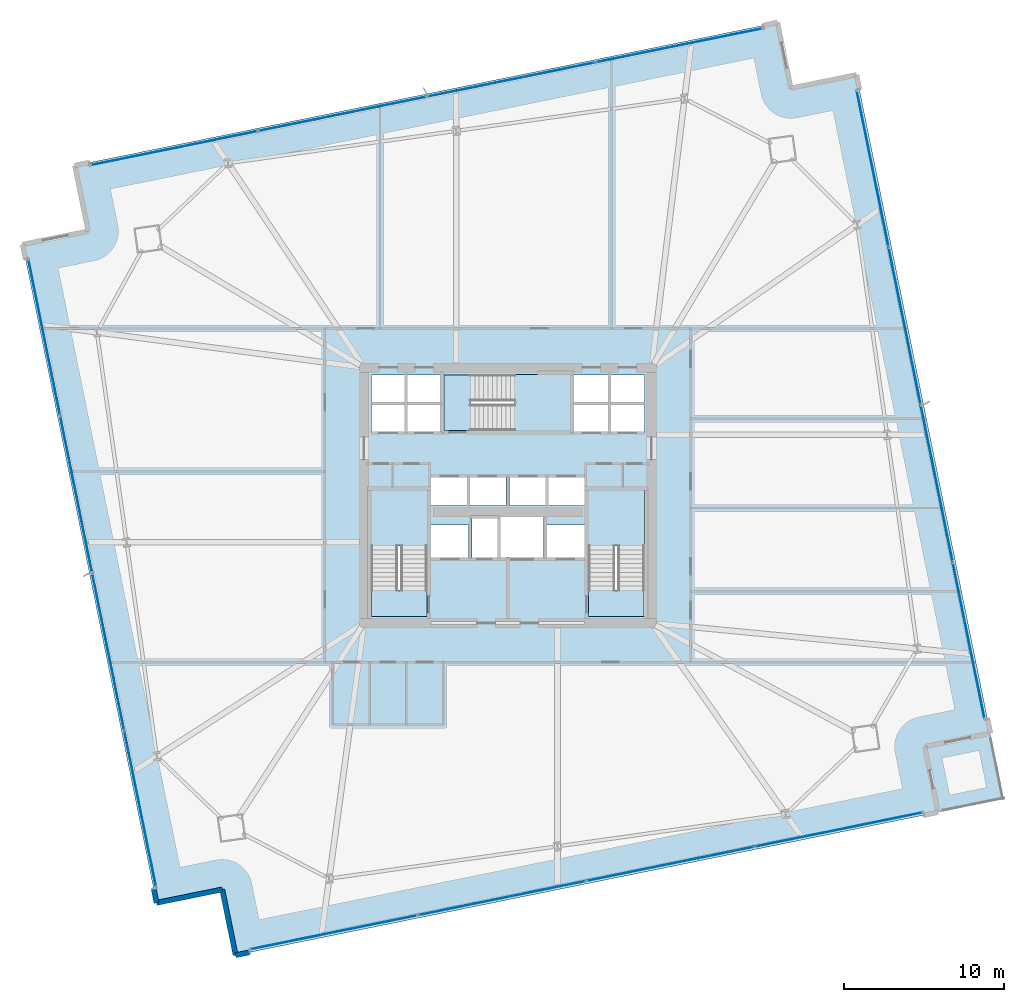
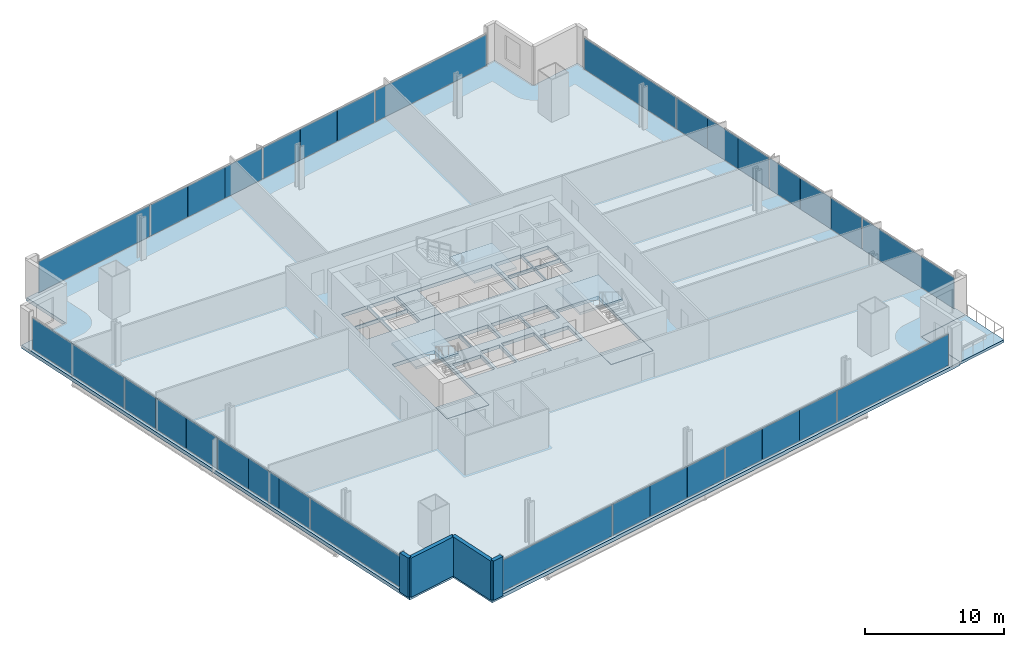
# One storey, part 24 of 33: 32 plates, 8 slabs, 4 walls, 7 elements without a shape of their own.
"""IFC4 building model written with IfcOpenShell, lengths in metres."""

from ifc_helpers import new_model, si_unit, direction, frame, frame_2d, origin, origin_2d, place, context, subcontext, project, spatial, polyline, rectangle, outline, extrude, source, transform, mapped, material, layer, layer_set, type_object, element, aggregate, save


model = new_model("IFC4")

# Units and contexts
model_context = context("Model", 3, precision=1e-05, world=origin(), true_north=direction((0.0, 1.0)))
body_context = subcontext(model_context, "Body", "Model", "MODEL_VIEW")
ifc_project = project(units=[si_unit("LENGTHUNIT", "METRE"), si_unit("AREAUNIT", "SQUARE_METRE"), si_unit("VOLUMEUNIT", "CUBIC_METRE"), si_unit("PLANEANGLEUNIT", "RADIAN"), si_unit("MASSUNIT", "GRAM", prefix="KILO")], contexts=[model_context])

# Site, building, storey
site_placement = place(None, origin())
site = spatial("IfcSite", under=ifc_project, at=site_placement, CompositionType="ELEMENT")
building_placement = place(site_placement, origin())
building = spatial("IfcBuilding", under=site, at=building_placement, Name="Haldenkirk Collegiate Tower", CompositionType="ELEMENT")
storey_placement = place(building_placement, frame((0.0, 0.0, 66.449951171875)))
storey = spatial("IfcBuildingStorey", under=building, at=storey_placement, Name="L15", CompositionType="ELEMENT", Elevation=66.449951171875)

# Slab
ifc_material_1 = material(Name="Concrete f'c 40 MPa", Category="concrete")
ifc_layer_1 = layer(ifc_material_1, 0.31005859375)
ifc_layer_set_1 = layer_set([ifc_layer_1], Name="Concrete f'c 40 MPa")
slab_type_1 = type_object("IfcSlabType", Name="SLB-FLR-310", PredefinedType="FLOOR", material=ifc_layer_set_1)
slab_1_placement = place(storey_placement, frame((0.0, 0.0, -0.31005859375)))
element("IfcSlab", 1, at=slab_1_placement, inside=storey, type_object=slab_type_1, Name="L15 composite structural floor slab", PredefinedType="FLOOR", context=body_context, shape_type="SweptSolid", body=[
    extrude(outline(polyline([(18.949951171875, -2.802490234375), (62.948486328125, 6.149169921875), (62.111328125, 10.264892578125), (66.22705078125, 11.102294921875), (57.838623046875, 52.33251953125), (53.722900390625, 51.4951171875), (52.885498046875, 55.61083984375), (8.886962890625, 46.6591796875), (9.72412109375, 42.543701171875), (5.608642578125, 41.706298828125), (13.9970703125, 0.475830078125), (18.11279296875, 1.313232421875), (18.949951171875, -2.802490234375)]), holes=[polyline([(27.449951171875, 18.39990234375), (30.949951171875, 18.39990234375), (30.949951171875, 26.300048828125), (27.449951171875, 26.300048828125), (27.449951171875, 18.39990234375)]), polyline([(41.050048828125, 18.39990234375), (44.550048828125, 18.39990234375), (44.550048828125, 26.300048828125), (41.050048828125, 26.300048828125), (41.050048828125, 18.39990234375)]), polyline([(32.0, 30.050048828125), (39.89990234375, 30.050048828125), (39.89990234375, 33.550048828125), (32.0, 33.550048828125), (32.0, 30.050048828125)]), polyline([(33.75, 22.10009765625), (35.35009765625, 22.10009765625), (35.35009765625, 24.550048828125), (33.75, 24.550048828125), (33.75, 22.10009765625)]), polyline([(27.449951171875, 29.949951171875), (29.580078125, 29.949951171875), (29.580078125, 31.699951171875), (27.449951171875, 31.699951171875), (27.449951171875, 29.949951171875)]), polyline([(29.679931640625, 29.949951171875), (31.85009765625, 29.949951171875), (31.85009765625, 31.699951171875), (29.679931640625, 31.699951171875), (29.679931640625, 29.949951171875)]), polyline([(27.449951171875, 31.800048828125), (29.580078125, 31.800048828125), (29.580078125, 33.550048828125), (27.449951171875, 33.550048828125), (27.449951171875, 31.800048828125)]), polyline([(29.679931640625, 31.800048828125), (31.85009765625, 31.800048828125), (31.85009765625, 33.550048828125), (29.679931640625, 33.550048828125), (29.679931640625, 31.800048828125)]), polyline([(40.14990234375, 29.949951171875), (42.320068359375, 29.949951171875), (42.320068359375, 31.699951171875), (40.14990234375, 31.699951171875), (40.14990234375, 29.949951171875)]), polyline([(42.419921875, 29.949951171875), (44.550048828125, 29.949951171875), (44.550048828125, 31.699951171875), (42.419921875, 31.699951171875), (42.419921875, 29.949951171875)]), polyline([(40.14990234375, 31.800048828125), (42.320068359375, 31.800048828125), (42.320068359375, 33.550048828125), (40.14990234375, 33.550048828125), (40.14990234375, 31.800048828125)]), polyline([(42.419921875, 31.800048828125), (44.550048828125, 31.800048828125), (44.550048828125, 33.550048828125), (42.419921875, 33.550048828125), (42.419921875, 31.800048828125)]), polyline([(31.199951171875, 25.35009765625), (33.47998046875, 25.35009765625), (33.47998046875, 27.14990234375), (31.199951171875, 27.14990234375), (31.199951171875, 25.35009765625)]), polyline([(33.60009765625, 25.35009765625), (35.8798828125, 25.35009765625), (35.8798828125, 27.14990234375), (33.60009765625, 27.14990234375), (33.60009765625, 25.35009765625)]), polyline([(36.1201171875, 25.35009765625), (38.39990234375, 25.35009765625), (38.39990234375, 27.14990234375), (36.1201171875, 27.14990234375), (36.1201171875, 25.35009765625)]), polyline([(38.52001953125, 25.35009765625), (40.800048828125, 25.35009765625), (40.800048828125, 27.14990234375), (38.52001953125, 27.14990234375), (38.52001953125, 25.35009765625)]), polyline([(31.199951171875, 22.10009765625), (33.550048828125, 22.10009765625), (33.550048828125, 24.14990234375), (31.199951171875, 24.14990234375), (31.199951171875, 22.10009765625)]), polyline([(38.449951171875, 22.10009765625), (40.800048828125, 22.10009765625), (40.800048828125, 24.14990234375), (38.449951171875, 24.14990234375), (38.449951171875, 22.10009765625)]), polyline([(35.550048828125, 22.10009765625), (38.25, 22.10009765625), (38.25, 24.64990234375), (35.550048828125, 24.64990234375), (35.550048828125, 22.10009765625)])]), origin(), (0.0, 0.0, 1.0), 0.31005859375),
])

# Stair, slab
stair_type = type_object("IfcStairType", Name="STR-DOGLEG-1650", PredefinedType="HALF_TURN_STAIR", material=ifc_material_1)
stair_1_placement = place(storey_placement, origin())
stair_1 = element("IfcStair", 2, at=stair_1_placement, inside=storey, type_object=stair_type, Name="L15 Core Exit Stair ST-1", PredefinedType="HALF_TURN_STAIR")
ifc_layer_2 = layer(ifc_material_1, 0.199951171875)
ifc_layer_set_2 = layer_set([ifc_layer_2], Name="Concrete f'c 40 MPa")
slab_type_2 = type_object("IfcSlabType", Name="SLB-LANDING-200", PredefinedType="LANDING", material=ifc_layer_set_2)
slab_2_placement = place(storey_placement, frame((0.0, 0.0, 1.675048828125)))
slab_2 = element("IfcSlab", 3, at=slab_2_placement, type_object=slab_type_2, Name="ST-1 landing 1", PredefinedType="LANDING", context=body_context, shape_type="SweptSolid", body=[
    extrude(outline(polyline([(30.97509765625, 22.824951171875), (27.425048828125, 22.824951171875), (27.425048828125, 26.324951171875), (30.97509765625, 26.324951171875), (30.97509765625, 22.824951171875)])), origin(), (0.0, 0.0, 1.0), 0.199951171875),
])
aggregate(stair_1, [slab_2])

stair_2_placement = place(storey_placement, origin())
stair_2 = element("IfcStair", 4, at=stair_2_placement, inside=storey, type_object=stair_type, Name="L15 Core Exit Stair ST-2", PredefinedType="HALF_TURN_STAIR")
slab_3_placement = place(storey_placement, frame((0.0, 0.0, 1.675048828125)))
slab_3 = element("IfcSlab", 5, at=slab_3_placement, type_object=slab_type_2, Name="ST-2 landing 1", PredefinedType="LANDING", context=body_context, shape_type="SweptSolid", body=[
    extrude(outline(polyline([(44.574951171875, 22.824951171875), (41.02490234375, 22.824951171875), (41.02490234375, 26.324951171875), (44.574951171875, 26.324951171875), (44.574951171875, 22.824951171875)])), origin(), (0.0, 0.0, 1.0), 0.199951171875),
])
aggregate(stair_2, [slab_3])

stair_3_placement = place(storey_placement, origin())
stair_3 = element("IfcStair", 6, at=stair_3_placement, inside=storey, type_object=stair_type, Name="L15 Core Exit Stair ST-3", PredefinedType="HALF_TURN_STAIR")
slab_4_placement = place(storey_placement, frame((0.0, 0.0, 1.675048828125)))
slab_4 = element("IfcSlab", 7, at=slab_4_placement, type_object=slab_type_2, Name="ST-3 landing 1", PredefinedType="LANDING", context=body_context, shape_type="SweptSolid", body=[
    extrude(outline(polyline([(36.425048828125, 30.02490234375), (36.425048828125, 33.574951171875), (39.925048828125, 33.574951171875), (39.925048828125, 30.02490234375), (36.425048828125, 30.02490234375)])), origin(), (0.0, 0.0, 1.0), 0.199951171875),
])
aggregate(stair_3, [slab_4])

# Slabs
ifc_layer_3 = layer(ifc_material_1, 0.25)
ifc_layer_set_3 = layer_set([ifc_layer_3], Name="Concrete f'c 40 MPa")
slab_type_3 = type_object("IfcSlabType", Name="SLB-STAIRLAND-250", PredefinedType="LANDING", material=ifc_layer_set_3)
slab_5_placement = place(storey_placement, frame((0.0, 0.0, -0.25)))
element("IfcSlab", 8, at=slab_5_placement, inside=storey, type_object=slab_type_3, Name="L15 stair ST1 structural floor landing slab", PredefinedType="LANDING", context=body_context, shape_type="SweptSolid", body=[
    extrude(outline(polyline([(27.4599609375, 18.409912109375), (30.93994140625, 18.409912109375), (30.93994140625, 20.080078125), (27.4599609375, 20.080078125), (27.4599609375, 18.409912109375)])), origin(), (0.0, 0.0, 1.0), 0.25),
])
slab_6_placement = place(storey_placement, frame((0.0, 0.0, -0.25)))
element("IfcSlab", 9, at=slab_6_placement, inside=storey, type_object=slab_type_3, Name="L15 stair ST2 structural floor landing slab", PredefinedType="LANDING", context=body_context, shape_type="SweptSolid", body=[
    extrude(outline(polyline([(41.06005859375, 18.409912109375), (44.5400390625, 18.409912109375), (44.5400390625, 20.080078125), (41.06005859375, 20.080078125), (41.06005859375, 18.409912109375)])), origin(), (0.0, 0.0, 1.0), 0.25),
])
slab_7_placement = place(storey_placement, frame((0.0, 0.0, -0.25)))
element("IfcSlab", 10, at=slab_7_placement, inside=storey, type_object=slab_type_3, Name="L15 stair ST3 structural floor landing slab", PredefinedType="LANDING", context=body_context, shape_type="SweptSolid", body=[
    extrude(outline(polyline([(32.010009765625, 30.06005859375), (33.679931640625, 30.06005859375), (33.679931640625, 33.5400390625), (32.010009765625, 33.5400390625), (32.010009765625, 30.06005859375)])), origin(), (0.0, 0.0, 1.0), 0.25),
])
ifc_layer_4 = layer(ifc_material_1, 0.22998046875)
ifc_layer_set_4 = layer_set([ifc_layer_4], Name="Concrete f'c 40 MPa")
slab_type_4 = type_object("IfcSlabType", Name="SLB-TERR-SPIRAL-230", PredefinedType="FLOOR", material=ifc_layer_set_4)
slab_8_placement = place(storey_placement, frame((0.0, 0.0, -0.22998046875)))
element("IfcSlab", 11, at=slab_8_placement, inside=storey, type_object=slab_type_4, Name="L15 spiralling corner terrace slab", PredefinedType="FLOOR", context=body_context, shape_type="SweptSolid", body=[
    extrude(outline(polyline([(62.948486328125, 6.149169921875), (67.064208984375, 6.986572265625), (66.22705078125, 11.102294921875), (62.111328125, 10.264892578125), (62.948486328125, 6.149169921875)])), origin(), (0.0, 0.0, 1.0), 0.22998046875),
])

# Curtain wall, plates
ifc_material_2 = material(Name="Anodised architectural bronze aluminium", Category="aluminium")
curtain_wall_type_1 = type_object("IfcCurtainWallType", Name="CW-SYS2-CONCAVE", PredefinedType="USERDEFINED", material=ifc_material_2)
curtain_wall_1_placement = place(storey_placement, origin())
curtain_wall_1 = element("IfcCurtainWall", 12, at=curtain_wall_1_placement, inside=storey, type_object=curtain_wall_type_1, Name="L15 South concave recessed bronze-anodised curtain wall", ObjectType="UNITISED CURTAIN WALL", PredefinedType="USERDEFINED")
ifc_material_3 = material(Name="Low-E argon triple insulating glass", Category="glass")
ifc_layer_5 = layer(ifc_material_3, 0.0419921875)
ifc_layer_set_5 = layer_set([ifc_layer_5], Name="Low-E argon triple insulating glass")
plate_type_1 = type_object("IfcPlateType", Name="CW-PNL-02", PredefinedType="CURTAIN_PANEL", material=ifc_layer_set_5)
shared_shape_1 = source(origin(), body_context, "Body", "SweptSolid", [
    extrude(rectangle(XDim=10.66259765625, YDim=0.0419921875, at=origin_2d()), origin(), (0.0, 0.0, 1.0), 2.740966796875),
])
plate_1_placement = place(storey_placement, frame((56.733154296875, 5.068359375, 0.0751953125), z_axis=(0.0, 0.0, 1.0), x_axis=(-0.979924555832, -0.199368665738, 0.0)))
plate_1 = element("IfcPlate", 13, at=plate_1_placement, type_object=plate_type_1, Name="CW-02 panel 1.1", PredefinedType="CURTAIN_PANEL", context=body_context, shape_type="MappedRepresentation", body=[
    mapped(shared_shape_1, transform((0.0, 0.0, 0.0), x_axis=(1.0, 0.0, 0.0), y_axis=(0.0, 1.0, 0.0), z_axis=(0.0, 0.0, 1.0), scale=1.0)),
])
plate_2_placement = place(storey_placement, frame((25.09375, -1.36865234375, 0.0751953125), z_axis=(0.0, 0.0, 1.0), x_axis=(-0.979924555832, -0.199368665738, 0.0)))
plate_2 = element("IfcPlate", 14, at=plate_2_placement, type_object=plate_type_1, Name="CW-02 panel 4.1", PredefinedType="CURTAIN_PANEL", context=body_context, shape_type="MappedRepresentation", body=[
    mapped(shared_shape_1, transform((0.0, 0.0, 0.0), x_axis=(1.0, 0.0, 0.0), y_axis=(0.0, 1.0, 0.0), z_axis=(0.0, 0.0, 1.0), scale=1.0)),
])
ifc_material_4 = material(Name="Bronze-anodised insulated aluminium spandrel panel", Category="aluminium")
ifc_layer_6 = layer(ifc_material_4, 0.0419921875)
ifc_layer_set_6 = layer_set([ifc_layer_6], Name="Bronze-anodised insulated aluminium spandrel panel")
plate_type_2 = type_object("IfcPlateType", Name="CW-SPD-02", PredefinedType="CURTAIN_PANEL", material=ifc_layer_set_6)
shared_shape_2 = source(origin(), body_context, "Body", "SweptSolid", [
    extrude(rectangle(XDim=3.55419921875, YDim=0.0419921875, at=origin_2d()), origin(), (0.0, 0.0, 1.0), 2.740966796875),
])
plate_3_placement = place(storey_placement, frame((49.69384765625, 3.63623046875, 0.0751953125), z_axis=(0.0, 0.0, 1.0), x_axis=(-0.979924555832, -0.199368665738, 0.0)))
plate_3 = element("IfcPlate", 15, at=plate_3_placement, type_object=plate_type_2, Name="CW-02 spandrel panel 2.1a", PredefinedType="CURTAIN_PANEL", context=body_context, shape_type="MappedRepresentation", body=[
    mapped(shared_shape_2, transform((0.0, 0.0, 0.0), x_axis=(1.0, 0.0, 0.0), y_axis=(0.0, 1.0, 0.0), z_axis=(0.0, 0.0, 1.0), scale=1.0)),
])
plate_4_placement = place(storey_placement, frame((42.691650390625, 2.211669921875, 0.0751953125), z_axis=(0.0, 0.0, 1.0), x_axis=(-0.979924555832, -0.199368665738, 0.0)))
plate_4 = element("IfcPlate", 16, at=plate_4_placement, type_object=plate_type_2, Name="CW-02 spandrel panel 2.1c", PredefinedType="CURTAIN_PANEL", context=body_context, shape_type="MappedRepresentation", body=[
    mapped(shared_shape_2, transform((0.0, 0.0, 0.0), x_axis=(1.0, 0.0, 0.0), y_axis=(0.0, 1.0, 0.0), z_axis=(0.0, 0.0, 1.0), scale=1.0)),
])
plate_5_placement = place(storey_placement, frame((39.13525390625, 1.488037109375, 0.0751953125), z_axis=(0.0, 0.0, 1.0), x_axis=(-0.979924555832, -0.199368665738, 0.0)))
plate_5 = element("IfcPlate", 17, at=plate_5_placement, type_object=plate_type_2, Name="CW-02 spandrel panel 3.1a", PredefinedType="CURTAIN_PANEL", context=body_context, shape_type="MappedRepresentation", body=[
    mapped(shared_shape_2, transform((0.0, 0.0, 0.0), x_axis=(1.0, 0.0, 0.0), y_axis=(0.0, 1.0, 0.0), z_axis=(0.0, 0.0, 1.0), scale=1.0)),
])
plate_6_placement = place(storey_placement, frame((32.1328125, 0.0634765625, 0.0751953125), z_axis=(0.0, 0.0, 1.0), x_axis=(-0.979924555832, -0.199368665738, 0.0)))
plate_6 = element("IfcPlate", 18, at=plate_6_placement, type_object=plate_type_1, Name="CW-02 panel 3.1c", PredefinedType="CURTAIN_PANEL", context=body_context, shape_type="MappedRepresentation", body=[
    mapped(shared_shape_2, transform((0.0, 0.0, 0.0), x_axis=(1.0, 0.0, 0.0), y_axis=(0.0, 1.0, 0.0), z_axis=(0.0, 0.0, 1.0), scale=1.0)),
])
shared_shape_3 = source(origin(), body_context, "Body", "SweptSolid", [
    extrude(rectangle(XDim=3.541748046875, YDim=0.0419921875, at=origin_2d()), origin(), (0.0, 0.0, 1.0), 2.740966796875),
])
plate_7_placement = place(storey_placement, frame((46.19287109375, 2.923828125, 0.0751953125), z_axis=(0.0, 0.0, 1.0), x_axis=(-0.979924555832, -0.199368665738, 0.0)))
plate_7 = element("IfcPlate", 19, at=plate_7_placement, type_object=plate_type_2, Name="CW-02 spandrel panel 2.1b", PredefinedType="CURTAIN_PANEL", context=body_context, shape_type="MappedRepresentation", body=[
    mapped(shared_shape_3, transform((0.0, 0.0, 0.0), x_axis=(1.0, 0.0, 0.0), y_axis=(0.0, 1.0, 0.0), z_axis=(0.0, 0.0, 1.0), scale=1.0)),
])
plate_8_placement = place(storey_placement, frame((35.634033203125, 0.775634765625, 0.0751953125), z_axis=(0.0, 0.0, 1.0), x_axis=(-0.979924555832, -0.199368665738, 0.0)))
plate_8 = element("IfcPlate", 20, at=plate_8_placement, type_object=plate_type_1, Name="CW-02 panel 3.1b", PredefinedType="CURTAIN_PANEL", context=body_context, shape_type="MappedRepresentation", body=[
    mapped(shared_shape_3, transform((0.0, 0.0, 0.0), x_axis=(1.0, 0.0, 0.0), y_axis=(0.0, 1.0, 0.0), z_axis=(0.0, 0.0, 1.0), scale=1.0)),
])
aggregate(curtain_wall_1, [plate_1, plate_3, plate_7, plate_4, plate_5, plate_8, plate_6, plate_2])

curtain_wall_type_2 = type_object("IfcCurtainWallType", Name="CW-SYS1-CONVEX-LOW", PredefinedType="USERDEFINED", material=ifc_material_2)
curtain_wall_2_placement = place(storey_placement, origin())
curtain_wall_2 = element("IfcCurtainWall", 21, at=curtain_wall_2_placement, inside=storey, type_object=curtain_wall_type_2, Name="L15 Lower tower convex bronze-framed unitised curtain wall", ObjectType="UNITISED CURTAIN WALL", PredefinedType="USERDEFINED")
ifc_layer_7 = layer(ifc_material_3, 0.0439453125)
ifc_layer_set_7 = layer_set([ifc_layer_7], Name="Low-E argon triple insulating glass")
plate_type_3 = type_object("IfcPlateType", Name="CW-PNL-1A", PredefinedType="CURTAIN_PANEL", material=ifc_layer_set_7)
shared_shape_4 = source(origin(), body_context, "Body", "SweptSolid", [
    extrude(rectangle(XDim=9.94873046875, YDim=0.0439453125, at=origin_2d()), origin(), (0.0, 0.0, 1.0), 2.73095703125),
])
plate_9_placement = place(storey_placement, frame((58.849365234375, 46.461669921875, 0.080078125), z_axis=(0.0, 0.0, 1.0), x_axis=(0.199369122351, -0.979924462932, 0.0)))
plate_9 = element("IfcPlate", 22, at=plate_9_placement, type_object=plate_type_3, Name="CW-1A panel 1.1", PredefinedType="CURTAIN_PANEL", context=body_context, shape_type="MappedRepresentation", body=[
    mapped(shared_shape_4, transform((0.0, 0.0, 0.0), x_axis=(1.0, 0.0, 0.0), y_axis=(0.0, 1.0, 0.0), z_axis=(0.0, 0.0, 1.0), scale=1.0)),
])
plate_10_placement = place(storey_placement, frame((64.863525390625, 16.901123046875, 0.080078125), z_axis=(0.0, 0.0, 1.0), x_axis=(0.199369122351, -0.979924462932, 0.0)))
plate_10 = element("IfcPlate", 23, at=plate_10_placement, type_object=plate_type_3, Name="CW-1A panel 4.1", PredefinedType="CURTAIN_PANEL", context=body_context, shape_type="MappedRepresentation", body=[
    mapped(shared_shape_4, transform((0.0, 0.0, 0.0), x_axis=(1.0, 0.0, 0.0), y_axis=(0.0, 1.0, 0.0), z_axis=(0.0, 0.0, 1.0), scale=1.0)),
])

curtain_wall_3_placement = place(storey_placement, origin())
curtain_wall_3 = element("IfcCurtainWall", 24, at=curtain_wall_3_placement, inside=storey, type_object=curtain_wall_type_2, Name="L15 Lower tower convex bronze-framed unitised curtain wall", ObjectType="UNITISED CURTAIN WALL", PredefinedType="USERDEFINED")
plate_11_placement = place(storey_placement, frame((12.986328125, 6.3466796875, 0.080078125), z_axis=(0.0, 0.0, 1.0), x_axis=(-0.199369122351, 0.979924462932, 0.0)))
plate_11 = element("IfcPlate", 25, at=plate_11_placement, type_object=plate_type_3, Name="CW-1A panel 1.1", PredefinedType="CURTAIN_PANEL", context=body_context, shape_type="MappedRepresentation", body=[
    mapped(shared_shape_4, transform((0.0, 0.0, 0.0), x_axis=(1.0, 0.0, 0.0), y_axis=(0.0, 1.0, 0.0), z_axis=(0.0, 0.0, 1.0), scale=1.0)),
])
plate_12_placement = place(storey_placement, frame((6.97216796875, 35.9072265625, 0.080078125), z_axis=(0.0, 0.0, 1.0), x_axis=(-0.199369122351, 0.979924462932, 0.0)))
plate_12 = element("IfcPlate", 26, at=plate_12_placement, type_object=plate_type_3, Name="CW-1A panel 4.1", PredefinedType="CURTAIN_PANEL", context=body_context, shape_type="MappedRepresentation", body=[
    mapped(shared_shape_4, transform((0.0, 0.0, 0.0), x_axis=(1.0, 0.0, 0.0), y_axis=(0.0, 1.0, 0.0), z_axis=(0.0, 0.0, 1.0), scale=1.0)),
])

# Plate
ifc_layer_8 = layer(ifc_material_4, 0.0439453125)
ifc_layer_set_8 = layer_set([ifc_layer_8], Name="Bronze-anodised insulated aluminium spandrel panel")
plate_type_4 = type_object("IfcPlateType", Name="CW-SPD-1A", PredefinedType="CURTAIN_PANEL", material=ifc_layer_set_8)
shared_shape_5 = source(origin(), body_context, "Body", "SweptSolid", [
    extrude(rectangle(XDim=3.317138671875, YDim=0.0439453125, at=origin_2d()), origin(), (0.0, 0.0, 1.0), 2.73095703125),
])
plate_13_placement = place(storey_placement, frame((60.1875, 39.883544921875, 0.080078125), z_axis=(0.0, 0.0, 1.0), x_axis=(0.199369122351, -0.979924462932, 0.0)))
plate_13 = element("IfcPlate", 27, at=plate_13_placement, type_object=plate_type_4, Name="CW-1A spandrel panel 2.1a", PredefinedType="CURTAIN_PANEL", context=body_context, shape_type="MappedRepresentation", body=[
    mapped(shared_shape_5, transform((0.0, 0.0, 0.0), x_axis=(1.0, 0.0, 0.0), y_axis=(0.0, 1.0, 0.0), z_axis=(0.0, 0.0, 1.0), scale=1.0)),
])

plate_14_placement = place(storey_placement, frame((61.517822265625, 33.345947265625, 0.080078125), z_axis=(0.0, 0.0, 1.0), x_axis=(0.199369122351, -0.979924462932, 0.0)))
plate_14 = element("IfcPlate", 28, at=plate_14_placement, type_object=plate_type_4, Name="CW-1A spandrel panel 2.1c", PredefinedType="CURTAIN_PANEL", context=body_context, shape_type="MappedRepresentation", body=[
    mapped(shared_shape_5, transform((0.0, 0.0, 0.0), x_axis=(1.0, 0.0, 0.0), y_axis=(0.0, 1.0, 0.0), z_axis=(0.0, 0.0, 1.0), scale=1.0)),
])

plate_15_placement = place(storey_placement, frame((62.195068359375, 30.01708984375, 0.080078125), z_axis=(0.0, 0.0, 1.0), x_axis=(0.199369122351, -0.979924462932, 0.0)))
plate_15 = element("IfcPlate", 29, at=plate_15_placement, type_object=plate_type_4, Name="CW-1A spandrel panel 3.1a", PredefinedType="CURTAIN_PANEL", context=body_context, shape_type="MappedRepresentation", body=[
    mapped(shared_shape_5, transform((0.0, 0.0, 0.0), x_axis=(1.0, 0.0, 0.0), y_axis=(0.0, 1.0, 0.0), z_axis=(0.0, 0.0, 1.0), scale=1.0)),
])

plate_16_placement = place(storey_placement, frame((63.525146484375, 23.479248046875, 0.080078125), z_axis=(0.0, 0.0, 1.0), x_axis=(0.199369122351, -0.979924462932, 0.0)))
plate_16 = element("IfcPlate", 30, at=plate_16_placement, type_object=plate_type_3, Name="CW-1A panel 3.1c", PredefinedType="CURTAIN_PANEL", context=body_context, shape_type="MappedRepresentation", body=[
    mapped(shared_shape_5, transform((0.0, 0.0, 0.0), x_axis=(1.0, 0.0, 0.0), y_axis=(0.0, 1.0, 0.0), z_axis=(0.0, 0.0, 1.0), scale=1.0)),
])

plate_17_placement = place(storey_placement, frame((11.64794921875, 12.9248046875, 0.080078125), z_axis=(0.0, 0.0, 1.0), x_axis=(-0.199369122351, 0.979924462932, 0.0)))
plate_17 = element("IfcPlate", 31, at=plate_17_placement, type_object=plate_type_4, Name="CW-1A spandrel panel 2.1a", PredefinedType="CURTAIN_PANEL", context=body_context, shape_type="MappedRepresentation", body=[
    mapped(shared_shape_5, transform((0.0, 0.0, 0.0), x_axis=(1.0, 0.0, 0.0), y_axis=(0.0, 1.0, 0.0), z_axis=(0.0, 0.0, 1.0), scale=1.0)),
])

plate_18_placement = place(storey_placement, frame((10.31787109375, 19.46240234375, 0.080078125), z_axis=(0.0, 0.0, 1.0), x_axis=(-0.199369122351, 0.979924462932, 0.0)))
plate_18 = element("IfcPlate", 32, at=plate_18_placement, type_object=plate_type_4, Name="CW-1A spandrel panel 2.1c", PredefinedType="CURTAIN_PANEL", context=body_context, shape_type="MappedRepresentation", body=[
    mapped(shared_shape_5, transform((0.0, 0.0, 0.0), x_axis=(1.0, 0.0, 0.0), y_axis=(0.0, 1.0, 0.0), z_axis=(0.0, 0.0, 1.0), scale=1.0)),
])

plate_19_placement = place(storey_placement, frame((9.640625, 22.79150390625, 0.080078125), z_axis=(0.0, 0.0, 1.0), x_axis=(-0.199369122351, 0.979924462932, 0.0)))
plate_19 = element("IfcPlate", 33, at=plate_19_placement, type_object=plate_type_4, Name="CW-1A spandrel panel 3.1a", PredefinedType="CURTAIN_PANEL", context=body_context, shape_type="MappedRepresentation", body=[
    mapped(shared_shape_5, transform((0.0, 0.0, 0.0), x_axis=(1.0, 0.0, 0.0), y_axis=(0.0, 1.0, 0.0), z_axis=(0.0, 0.0, 1.0), scale=1.0)),
])

plate_20_placement = place(storey_placement, frame((8.310302734375, 29.3291015625, 0.080078125), z_axis=(0.0, 0.0, 1.0), x_axis=(-0.199369122351, 0.979924462932, 0.0)))
plate_20 = element("IfcPlate", 34, at=plate_20_placement, type_object=plate_type_3, Name="CW-1A panel 3.1c", PredefinedType="CURTAIN_PANEL", context=body_context, shape_type="MappedRepresentation", body=[
    mapped(shared_shape_5, transform((0.0, 0.0, 0.0), x_axis=(1.0, 0.0, 0.0), y_axis=(0.0, 1.0, 0.0), z_axis=(0.0, 0.0, 1.0), scale=1.0)),
])

shared_shape_6 = source(origin(), body_context, "Body", "SweptSolid", [
    extrude(rectangle(XDim=3.3046875, YDim=0.0439453125, at=origin_2d()), origin(), (0.0, 0.0, 1.0), 2.73095703125),
])
plate_21_placement = place(storey_placement, frame((60.852783203125, 36.61474609375, 0.080078125), z_axis=(0.0, 0.0, 1.0), x_axis=(0.199369122351, -0.979924462932, 0.0)))
plate_21 = element("IfcPlate", 35, at=plate_21_placement, type_object=plate_type_4, Name="CW-1A spandrel panel 2.1b", PredefinedType="CURTAIN_PANEL", context=body_context, shape_type="MappedRepresentation", body=[
    mapped(shared_shape_6, transform((0.0, 0.0, 0.0), x_axis=(1.0, 0.0, 0.0), y_axis=(0.0, 1.0, 0.0), z_axis=(0.0, 0.0, 1.0), scale=1.0)),
])

plate_22_placement = place(storey_placement, frame((62.860107421875, 26.748046875, 0.080078125), z_axis=(0.0, 0.0, 1.0), x_axis=(0.199369122351, -0.979924462932, 0.0)))
plate_22 = element("IfcPlate", 36, at=plate_22_placement, type_object=plate_type_3, Name="CW-1A panel 3.1b", PredefinedType="CURTAIN_PANEL", context=body_context, shape_type="MappedRepresentation", body=[
    mapped(shared_shape_6, transform((0.0, 0.0, 0.0), x_axis=(1.0, 0.0, 0.0), y_axis=(0.0, 1.0, 0.0), z_axis=(0.0, 0.0, 1.0), scale=1.0)),
])

aggregate(curtain_wall_2, [plate_9, plate_13, plate_21, plate_14, plate_15, plate_22, plate_16, plate_10])

plate_23_placement = place(storey_placement, frame((10.98291015625, 16.193603515625, 0.080078125), z_axis=(0.0, 0.0, 1.0), x_axis=(-0.199369122351, 0.979924462932, 0.0)))
plate_23 = element("IfcPlate", 37, at=plate_23_placement, type_object=plate_type_4, Name="CW-1A spandrel panel 2.1b", PredefinedType="CURTAIN_PANEL", context=body_context, shape_type="MappedRepresentation", body=[
    mapped(shared_shape_6, transform((0.0, 0.0, 0.0), x_axis=(1.0, 0.0, 0.0), y_axis=(0.0, 1.0, 0.0), z_axis=(0.0, 0.0, 1.0), scale=1.0)),
])

plate_24_placement = place(storey_placement, frame((8.9755859375, 26.060302734375, 0.080078125), z_axis=(0.0, 0.0, 1.0), x_axis=(-0.199369122351, 0.979924462932, 0.0)))
plate_24 = element("IfcPlate", 38, at=plate_24_placement, type_object=plate_type_3, Name="CW-1A panel 3.1b", PredefinedType="CURTAIN_PANEL", context=body_context, shape_type="MappedRepresentation", body=[
    mapped(shared_shape_6, transform((0.0, 0.0, 0.0), x_axis=(1.0, 0.0, 0.0), y_axis=(0.0, 1.0, 0.0), z_axis=(0.0, 0.0, 1.0), scale=1.0)),
])

aggregate(curtain_wall_3, [plate_11, plate_17, plate_23, plate_18, plate_19, plate_24, plate_20, plate_12])

# Curtain wall, plates
curtain_wall_4_placement = place(storey_placement, origin())
curtain_wall_4 = element("IfcCurtainWall", 39, at=curtain_wall_4_placement, inside=storey, type_object=curtain_wall_type_2, Name="L15 Lower tower convex bronze-framed unitised curtain wall", ObjectType="UNITISED CURTAIN WALL", PredefinedType="USERDEFINED")
shared_shape_7 = source(origin(), body_context, "Body", "SweptSolid", [
    extrude(rectangle(XDim=10.655029296875, YDim=0.0439453125, at=origin_2d()), origin(), (0.0, 0.0, 1.0), 2.73095703125),
])
plate_25_placement = place(storey_placement, frame((15.103759765625, 47.740478515625, 0.080078125), z_axis=(0.0, 0.0, 1.0), x_axis=(0.979924555832, 0.199368665738, 0.0)))
plate_25 = element("IfcPlate", 40, at=plate_25_placement, type_object=plate_type_3, Name="CW-1A panel 1.1", PredefinedType="CURTAIN_PANEL", context=body_context, shape_type="MappedRepresentation", body=[
    mapped(shared_shape_7, transform((0.0, 0.0, 0.0), x_axis=(1.0, 0.0, 0.0), y_axis=(0.0, 1.0, 0.0), z_axis=(0.0, 0.0, 1.0), scale=1.0)),
])
plate_26_placement = place(storey_placement, frame((46.740478515625, 54.177001953125, 0.080078125), z_axis=(0.0, 0.0, 1.0), x_axis=(0.979924555832, 0.199368665738, 0.0)))
plate_26 = element("IfcPlate", 41, at=plate_26_placement, type_object=plate_type_3, Name="CW-1A panel 4.1", PredefinedType="CURTAIN_PANEL", context=body_context, shape_type="MappedRepresentation", body=[
    mapped(shared_shape_7, transform((0.0, 0.0, 0.0), x_axis=(1.0, 0.0, 0.0), y_axis=(0.0, 1.0, 0.0), z_axis=(0.0, 0.0, 1.0), scale=1.0)),
])
shared_shape_8 = source(origin(), body_context, "Body", "SweptSolid", [
    extrude(rectangle(XDim=3.552490234375, YDim=0.0439453125, at=origin_2d()), origin(), (0.0, 0.0, 1.0), 2.73095703125),
])
plate_27_placement = place(storey_placement, frame((22.143310546875, 49.172607421875, 0.080078125), z_axis=(0.0, 0.0, 1.0), x_axis=(0.979924555832, 0.199368665738, 0.0)))
plate_27 = element("IfcPlate", 42, at=plate_27_placement, type_object=plate_type_4, Name="CW-1A spandrel panel 2.1a", PredefinedType="CURTAIN_PANEL", context=body_context, shape_type="MappedRepresentation", body=[
    mapped(shared_shape_8, transform((0.0, 0.0, 0.0), x_axis=(1.0, 0.0, 0.0), y_axis=(0.0, 1.0, 0.0), z_axis=(0.0, 0.0, 1.0), scale=1.0)),
])
plate_28_placement = place(storey_placement, frame((29.142333984375, 50.5966796875, 0.080078125), z_axis=(0.0, 0.0, 1.0), x_axis=(0.979924555832, 0.199368665738, 0.0)))
plate_28 = element("IfcPlate", 43, at=plate_28_placement, type_object=plate_type_4, Name="CW-1A spandrel panel 2.1c", PredefinedType="CURTAIN_PANEL", context=body_context, shape_type="MappedRepresentation", body=[
    mapped(shared_shape_8, transform((0.0, 0.0, 0.0), x_axis=(1.0, 0.0, 0.0), y_axis=(0.0, 1.0, 0.0), z_axis=(0.0, 0.0, 1.0), scale=1.0)),
])
plate_29_placement = place(storey_placement, frame((32.701904296875, 51.32080078125, 0.080078125), z_axis=(0.0, 0.0, 1.0), x_axis=(0.979924555832, 0.199368665738, 0.0)))
plate_29 = element("IfcPlate", 44, at=plate_29_placement, type_object=plate_type_4, Name="CW-1A spandrel panel 3.1a", PredefinedType="CURTAIN_PANEL", context=body_context, shape_type="MappedRepresentation", body=[
    mapped(shared_shape_8, transform((0.0, 0.0, 0.0), x_axis=(1.0, 0.0, 0.0), y_axis=(0.0, 1.0, 0.0), z_axis=(0.0, 0.0, 1.0), scale=1.0)),
])
plate_30_placement = place(storey_placement, frame((39.700927734375, 52.744873046875, 0.080078125), z_axis=(0.0, 0.0, 1.0), x_axis=(0.979924555832, 0.199368665738, 0.0)))
plate_30 = element("IfcPlate", 45, at=plate_30_placement, type_object=plate_type_3, Name="CW-1A panel 3.1c", PredefinedType="CURTAIN_PANEL", context=body_context, shape_type="MappedRepresentation", body=[
    mapped(shared_shape_8, transform((0.0, 0.0, 0.0), x_axis=(1.0, 0.0, 0.0), y_axis=(0.0, 1.0, 0.0), z_axis=(0.0, 0.0, 1.0), scale=1.0)),
])
shared_shape_9 = source(origin(), body_context, "Body", "SweptSolid", [
    extrude(rectangle(XDim=3.5400390625, YDim=0.0439453125, at=origin_2d()), origin(), (0.0, 0.0, 1.0), 2.73095703125),
])
plate_31_placement = place(storey_placement, frame((25.642822265625, 49.884521484375, 0.080078125), z_axis=(0.0, 0.0, 1.0), x_axis=(0.979924555832, 0.199368665738, 0.0)))
plate_31 = element("IfcPlate", 46, at=plate_31_placement, type_object=plate_type_4, Name="CW-1A spandrel panel 2.1b", PredefinedType="CURTAIN_PANEL", context=body_context, shape_type="MappedRepresentation", body=[
    mapped(shared_shape_9, transform((0.0, 0.0, 0.0), x_axis=(1.0, 0.0, 0.0), y_axis=(0.0, 1.0, 0.0), z_axis=(0.0, 0.0, 1.0), scale=1.0)),
])
plate_32_placement = place(storey_placement, frame((36.201416015625, 52.03271484375, 0.080078125), z_axis=(0.0, 0.0, 1.0), x_axis=(0.979924555832, 0.199368665738, 0.0)))
plate_32 = element("IfcPlate", 47, at=plate_32_placement, type_object=plate_type_3, Name="CW-1A panel 3.1b", PredefinedType="CURTAIN_PANEL", context=body_context, shape_type="MappedRepresentation", body=[
    mapped(shared_shape_9, transform((0.0, 0.0, 0.0), x_axis=(1.0, 0.0, 0.0), y_axis=(0.0, 1.0, 0.0), z_axis=(0.0, 0.0, 1.0), scale=1.0)),
])
aggregate(curtain_wall_4, [plate_25, plate_27, plate_31, plate_28, plate_29, plate_32, plate_30, plate_26])

# Walls
ifc_material_5 = material(Name="Precast concrete f'c 40 MPa", Category="concrete")
ifc_layer_9 = layer(ifc_material_5, 0.320068359375)
ifc_layer_set_9 = layer_set([ifc_layer_9], Name="Precast concrete f'c 40 MPa")
wall_type = type_object("IfcWallType", Name="WL-EXT-TWR-320", PredefinedType="STANDARD", material=ifc_layer_set_9)
wall_1_placement = place(storey_placement, frame((19.831787109375, -2.623046875, 0.0), z_axis=(0.0, 0.0, 1.0), x_axis=(-0.979917798202, -0.199401877541, 0.0)))
element("IfcWall", 48, at=wall_1_placement, inside=storey, type_object=wall_type, Name="L15 precast corner pier SR", PredefinedType="STANDARD", context=body_context, shape_type="SweptSolid", body=[
    extrude(rectangle(XDim=0.89990234375, YDim=0.320068359375, at=frame_2d((0.449951171875, 0.0))), origin(), (0.0, 0.0, 1.0), 3.43994140625),
])
wall_2_placement = place(storey_placement, frame((13.9970703125, 0.475830078125, 0.0), z_axis=(0.0, 0.0, 1.0), x_axis=(-0.199348880974, 0.979928580895, 0.0)))
element("IfcWall", 49, at=wall_2_placement, inside=storey, type_object=wall_type, Name="L15 precast corner pier WL", PredefinedType="STANDARD", context=body_context, shape_type="SweptSolid", body=[
    extrude(rectangle(XDim=0.900146484375, YDim=0.320068359375, at=frame_2d((0.4501953125, 0.0))), origin(), (0.0, 0.0, 1.0), 3.43994140625),
])
for number, where, z_axis, x_axis, name in (
    (50, (18.11279296875, 1.313232421875, 0.0), (0.0, 0.0, 1.0), (-0.979922420409, -0.199379161348, 0.0), "L15 bronze precast notch wall 11"),
    (51, (18.949951171875, -2.802490234375, 0.0), (0.0, 0.0, 1.0), (-0.199323343051, 0.97993377578, 0.0), "L15 bronze precast notch wall 12"),
):
    element("IfcWall", number, at=place(storey_placement, frame(where, z_axis=z_axis, x_axis=x_axis)), inside=storey, type_object=wall_type, Name=name, PredefinedType="STANDARD", context=body_context, shape_type="SweptSolid", body=[
        extrude(rectangle(XDim=4.199951171875, YDim=0.320068359375, at=frame_2d((2.10009765625, 0.0))), origin(), (0.0, 0.0, 1.0), 3.43994140625),
    ])

save(model, "model.ifc")
